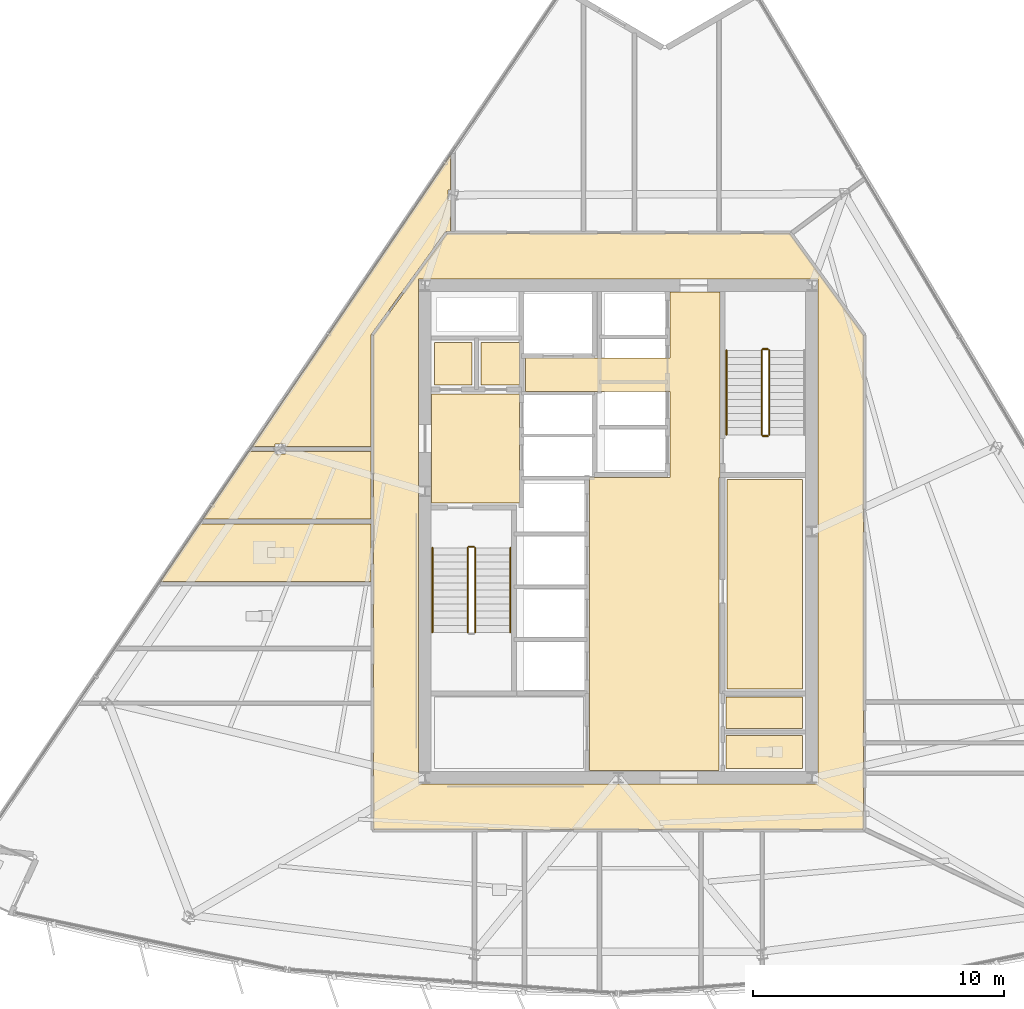
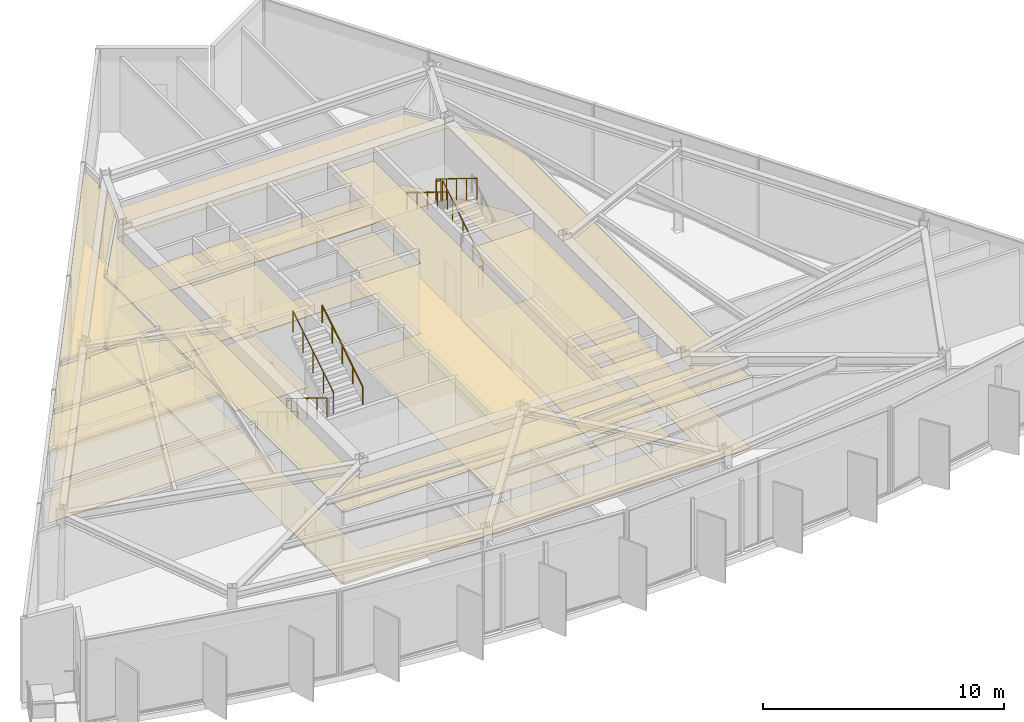
# One storey, part 11 of 13: 22 coverings, 10 railings.
"""IFC4 building model written with IfcOpenShell, lengths in metres."""

from ifc_helpers import new_model, si_unit, direction, frame, origin, origin_2d, place, context, subcontext, project, spatial, polyline, circle, outline, extrude, material, layer, layer_set, type_object, element, save


model = new_model("IFC4")

# Units and contexts
model_context = context("Model", 3, precision=1e-05, world=origin(), true_north=direction((0.0, 1.0)))
body_context = subcontext(model_context, "Body", "Model", "MODEL_VIEW")
ifc_project = project(units=[si_unit("LENGTHUNIT", "METRE"), si_unit("AREAUNIT", "SQUARE_METRE"), si_unit("VOLUMEUNIT", "CUBIC_METRE"), si_unit("PLANEANGLEUNIT", "RADIAN"), si_unit("MASSUNIT", "GRAM", prefix="KILO")], contexts=[model_context])

# Site, building, storey
site_placement = place(None, origin())
site = spatial("IfcSite", under=ifc_project, at=site_placement, CompositionType="ELEMENT")
building_placement = place(site_placement, origin())
building = spatial("IfcBuilding", under=site, at=building_placement, Name="Savorim Split Tower", CompositionType="ELEMENT")
storey_placement = place(building_placement, frame((0.0, 0.0, 190.199951171875)))
storey = spatial("IfcBuildingStorey", under=building, at=storey_placement, Name="L50", CompositionType="ELEMENT", Elevation=190.199951171875)

# Coverings
ifc_material_1 = material(Name="Mineral Fibre Acoustic Ceiling")
ifc_layer_1 = layer(ifc_material_1, 0.02490234375)
ifc_layer_set_1 = layer_set([ifc_layer_1], Name="COV-CEIL-25")
covering_type_1 = type_object("IfcCoveringType", Name="COV-CEIL-25", PredefinedType="CEILING", material=ifc_layer_set_1)
covering_1_placement = place(storey_placement, frame((0.0, 0.0, 3.570068359375)))
element("IfcCovering", 1, at=covering_1_placement, inside=storey, type_object=covering_type_1, Name="L50 Firefighting Lift Lobby Acoustic Ceiling", PredefinedType="CEILING", context=body_context, shape_type="SweptSolid", body=[
    extrude(outline(polyline([(-7.429931640625, 5.8701171875), (-7.429931640625, 1.530029296875), (-3.929931640625, 1.530029296875), (-3.929931640625, 5.8701171875), (-7.429931640625, 5.8701171875)])), origin(), (0.0, 0.0, 1.0), 0.02490234375),
])
covering_2_placement = place(storey_placement, frame((0.0, 0.0, 3.570068359375)))
element("IfcCovering", 2, at=covering_2_placement, inside=storey, type_object=covering_type_1, Name="L50 Electrical Riser Acoustic Ceiling", PredefinedType="CEILING", context=body_context, shape_type="SweptSolid", body=[
    extrude(outline(polyline([(-7.320068359375, 7.919921875), (-7.320068359375, 6.22998046875), (-5.830078125, 6.22998046875), (-5.830078125, 7.919921875), (-7.320068359375, 7.919921875)])), origin(), (0.0, 0.0, 1.0), 0.02490234375),
])
covering_3_placement = place(storey_placement, frame((0.0, 0.0, 3.570068359375)))
element("IfcCovering", 3, at=covering_3_placement, inside=storey, type_object=covering_type_1, Name="L50 Telecom Riser Acoustic Ceiling", PredefinedType="CEILING", context=body_context, shape_type="SweptSolid", body=[
    extrude(outline(polyline([(-5.469970703125, 7.919921875), (-5.469970703125, 6.22998046875), (-3.929931640625, 6.22998046875), (-3.929931640625, 7.919921875), (-5.469970703125, 7.919921875)])), origin(), (0.0, 0.0, 1.0), 0.02490234375),
])
covering_4_placement = place(storey_placement, frame((0.0, 0.0, 3.570068359375)))
element("IfcCovering", 4, at=covering_4_placement, inside=storey, type_object=covering_type_1, Name="L50 Lift Lobby Acoustic Ceiling", PredefinedType="CEILING", context=body_context, shape_type="SweptSolid", body=[
    extrude(outline(polyline([(2.050048828125, 2.550048828125), (-1.14990234375, 2.550048828125), (-1.14990234375, -9.10009765625), (4.0, -9.10009765625), (4.0, 2.550048828125), (4.050048828125, 2.550048828125), (4.050048828125, 5.97998046875), (4.050048828125, 7.300048828125), (4.050048828125, 9.929931640625), (2.050048828125, 9.929931640625), (2.050048828125, 7.300048828125), (-3.699951171875, 7.300048828125), (-3.699951171875, 5.97998046875), (2.050048828125, 5.97998046875), (2.050048828125, 2.550048828125)])), origin(), (0.0, 0.0, 1.0), 0.02490234375),
])
covering_5_placement = place(storey_placement, frame((0.0, 0.0, 3.570068359375)))
element("IfcCovering", 5, at=covering_5_placement, inside=storey, type_object=covering_type_1, Name="L50 Shared Pantry and Linen Room Acoustic Ceiling", PredefinedType="CEILING", context=body_context, shape_type="SweptSolid", body=[
    extrude(outline(polyline([(4.330078125, 2.469970703125), (4.330078125, -5.8701171875), (7.320068359375, -5.8701171875), (7.320068359375, 2.469970703125), (4.330078125, 2.469970703125)])), origin(), (0.0, 0.0, 1.0), 0.02490234375),
])
covering_6_placement = place(storey_placement, frame((0.0, 0.0, 3.570068359375)))
element("IfcCovering", 6, at=covering_6_placement, inside=storey, type_object=covering_type_1, Name="L50 Accessible WC Acoustic Ceiling", PredefinedType="CEILING", context=body_context, shape_type="SweptSolid", body=[
    extrude(outline(polyline([(4.280029296875, -7.719970703125), (4.280029296875, -9.02001953125), (7.320068359375, -9.02001953125), (7.320068359375, -7.719970703125), (4.280029296875, -7.719970703125)])), origin(), (0.0, 0.0, 1.0), 0.02490234375),
])
covering_7_placement = place(storey_placement, frame((0.0, 0.0, 3.570068359375)))
element("IfcCovering", 7, at=covering_7_placement, inside=storey, type_object=covering_type_1, Name="L50 Cleaning Store Acoustic Ceiling", PredefinedType="CEILING", context=body_context, shape_type="SweptSolid", body=[
    extrude(outline(polyline([(4.280029296875, -6.179931640625), (4.280029296875, -7.43994140625), (7.320068359375, -7.43994140625), (7.320068359375, -6.179931640625), (4.280029296875, -6.179931640625)])), origin(), (0.0, 0.0, 1.0), 0.02490234375),
])
covering_8_placement = place(storey_placement, frame((0.0, 0.0, 3.570068359375)))
element("IfcCovering", 8, at=covering_8_placement, inside=storey, type_object=covering_type_1, Name="L50 Corridor Acoustic Ceiling", PredefinedType="CEILING", context=body_context, shape_type="SweptSolid", body=[
    extrude(outline(polyline([(6.809326171875, 12.2490234375), (6.8046875, 12.249755859375), (6.800048828125, 12.25), (-6.800048828125, 12.25), (-6.8046875, 12.249755859375), (-6.809326171875, 12.2490234375), (-6.81396484375, 12.248046875), (-6.818359375, 12.24658203125), (-6.82275390625, 12.244384765625), (-6.826904296875, 12.2421875), (-6.830810546875, 12.239501953125), (-6.834228515625, 12.236328125), (-6.83740234375, 12.23291015625), (-6.840576171875, 12.229248046875), (-9.740478515625, 8.229248046875), (-9.743408203125, 8.22509765625), (-9.74560546875, 8.22021484375), (-9.74755859375, 8.21533203125), (-9.748779296875, 8.21044921875), (-9.749755859375, 8.205078125), (-9.75, 8.199951171875), (-9.75, -11.39990234375), (-9.749755859375, -11.40478515625), (-9.7490234375, -11.409912109375), (-9.747802734375, -11.41455078125), (-9.74609375, -11.419189453125), (-9.744140625, -11.423583984375), (-9.74169921875, -11.427734375), (-9.73876953125, -11.431640625), (-9.7353515625, -11.435302734375), (-9.731689453125, -11.438720703125), (-9.727783203125, -11.441650390625), (-9.7236328125, -11.444091796875), (-9.718994140625, -11.4462890625), (-9.714599609375, -11.44775390625), (-9.709716796875, -11.448974609375), (-9.704833984375, -11.44970703125), (-9.699951171875, -11.449951171875), (9.699951171875, -11.449951171875), (9.704833984375, -11.44970703125), (9.709716796875, -11.448974609375), (9.714599609375, -11.44775390625), (9.718994140625, -11.4462890625), (9.7236328125, -11.444091796875), (9.727783203125, -11.441650390625), (9.731689453125, -11.438720703125), (9.7353515625, -11.435302734375), (9.73876953125, -11.431640625), (9.74169921875, -11.427734375), (9.744140625, -11.423583984375), (9.74609375, -11.419189453125), (9.747802734375, -11.41455078125), (9.7490234375, -11.409912109375), (9.749755859375, -11.40478515625), (9.75, -11.39990234375), (9.75, 8.199951171875), (9.749755859375, 8.205078125), (9.748779296875, 8.21044921875), (9.74755859375, 8.21533203125), (9.74560546875, 8.22021484375), (9.743408203125, 8.22509765625), (9.740478515625, 8.229248046875), (6.840576171875, 12.229248046875), (6.83740234375, 12.23291015625), (6.834228515625, 12.236328125), (6.830810546875, 12.239501953125), (6.826904296875, 12.2421875), (6.82275390625, 12.244384765625), (6.818359375, 12.24658203125), (6.81396484375, 12.248046875), (6.809326171875, 12.2490234375)]), holes=[polyline([(-7.949951171875, 10.449951171875), (-7.949951171875, -9.64990234375), (7.949951171875, -9.64990234375), (7.949951171875, 10.449951171875), (-7.949951171875, 10.449951171875)])]), origin(), (0.0, 0.0, 1.0), 0.02490234375),
])
covering_9_placement = place(storey_placement, frame((0.0, 0.0, 3.570068359375)))
element("IfcCovering", 9, at=covering_9_placement, inside=storey, type_object=covering_type_1, Name="L50 Shared Bathroom Acoustic Ceiling", PredefinedType="CEILING", context=body_context, shape_type="SweptSolid", body=[
    extrude(outline(polyline([(-16.66259765625, 0.709228515625), (-18.218994140625, -1.57861328125), (-9.840087890625, -1.57861328125), (-9.840087890625, 0.709228515625), (-16.66259765625, 0.709228515625)])), origin(), (0.0, 0.0, 1.0), 0.02490234375),
])
covering_10_placement = place(storey_placement, frame((0.0, 0.0, 3.570068359375)))
element("IfcCovering", 10, at=covering_10_placement, inside=storey, type_object=covering_type_1, Name="L50 Quiet Study Room Acoustic Ceiling", PredefinedType="CEILING", context=body_context, shape_type="SweptSolid", body=[
    extrude(outline(polyline([(-6.813232421875, 12.33935546875), (-6.800048828125, 12.340087890625), (-6.677001953125, 12.340087890625), (-6.677001953125, 13.5908203125), (-6.791015625, 13.5908203125), (-6.791015625, 13.997802734375), (-6.677001953125, 13.997802734375), (-6.677001953125, 15.387939453125), (-14.575439453125, 3.777099609375), (-13.669921875, 3.777099609375), (-13.669921875, 3.8857421875), (-13.251708984375, 3.8857421875), (-13.251708984375, 3.777099609375), (-9.840087890625, 3.777099609375), (-9.840087890625, 8.199951171875), (-9.839111328125, 8.214599609375), (-9.8369140625, 8.22900390625), (-9.833251953125, 8.2431640625), (-9.827880859375, 8.2568359375), (-9.8212890625, 8.27001953125), (-9.813232421875, 8.2822265625), (-6.913330078125, 12.2822265625), (-6.905029296875, 12.29248046875), (-6.89599609375, 12.302001953125), (-6.885986328125, 12.310546875), (-6.875, 12.318115234375), (-6.863525390625, 12.32470703125), (-6.8515625, 12.330078125), (-6.839111328125, 12.33447265625), (-6.826416015625, 12.33740234375), (-6.813232421875, 12.33935546875)])), origin(), (0.0, 0.0, 1.0), 0.02490234375),
])
covering_11_placement = place(storey_placement, frame((0.0, 0.0, 3.570068359375)))
element("IfcCovering", 11, at=covering_11_placement, inside=storey, type_object=covering_type_1, Name="L50 Co-Working Commons Acoustic Ceiling", PredefinedType="CEILING", context=body_context, shape_type="SweptSolid", body=[
    extrude(outline(polyline([(-13.669921875, 3.587158203125), (-14.57958984375, 3.587158203125), (-14.674560546875, 3.587158203125), (-14.674560546875, 3.631591796875), (-16.533203125, 0.8994140625), (-9.840087890625, 0.899169921875), (-9.840087890625, 3.587158203125), (-13.251708984375, 3.587158203125), (-13.251708984375, 3.478759765625), (-13.669921875, 3.478759765625), (-13.669921875, 3.587158203125)])), origin(), (0.0, 0.0, 1.0), 0.02490234375),
])
ifc_material_2 = material(Name="Porcelain Stoneware Flooring", Category="masonry")
ifc_layer_2 = layer(ifc_material_2, 0.02001953125)
ifc_layer_set_2 = layer_set([ifc_layer_2], Name="COV-FLOR-20")
covering_type_2 = type_object("IfcCoveringType", Name="COV-FLOR-20", PredefinedType="FLOORING", material=ifc_layer_set_2)
covering_12_placement = place(storey_placement, origin())
element("IfcCovering", 12, at=covering_12_placement, inside=storey, type_object=covering_type_2, Name="L50 Firefighting Lift Lobby Porcelain Flooring", PredefinedType="FLOORING", context=body_context, shape_type="SweptSolid", body=[
    extrude(outline(polyline([(-7.429931640625, 5.8701171875), (-7.429931640625, 1.530029296875), (-3.929931640625, 1.530029296875), (-3.929931640625, 5.8701171875), (-7.429931640625, 5.8701171875)])), origin(), (0.0, 0.0, 1.0), 0.02001953125),
])
covering_13_placement = place(storey_placement, origin())
element("IfcCovering", 13, at=covering_13_placement, inside=storey, type_object=covering_type_2, Name="L50 Electrical Riser Porcelain Flooring", PredefinedType="FLOORING", context=body_context, shape_type="SweptSolid", body=[
    extrude(outline(polyline([(-7.320068359375, 7.919921875), (-7.320068359375, 6.22998046875), (-5.830078125, 6.22998046875), (-5.830078125, 7.919921875), (-7.320068359375, 7.919921875)])), origin(), (0.0, 0.0, 1.0), 0.02001953125),
])
covering_14_placement = place(storey_placement, origin())
element("IfcCovering", 14, at=covering_14_placement, inside=storey, type_object=covering_type_2, Name="L50 Telecom Riser Porcelain Flooring", PredefinedType="FLOORING", context=body_context, shape_type="SweptSolid", body=[
    extrude(outline(polyline([(-5.469970703125, 7.919921875), (-5.469970703125, 6.22998046875), (-3.929931640625, 6.22998046875), (-3.929931640625, 7.919921875), (-5.469970703125, 7.919921875)])), origin(), (0.0, 0.0, 1.0), 0.02001953125),
])
covering_15_placement = place(storey_placement, origin())
element("IfcCovering", 15, at=covering_15_placement, inside=storey, type_object=covering_type_2, Name="L50 Lift Lobby Porcelain Flooring", PredefinedType="FLOORING", context=body_context, shape_type="SweptSolid", body=[
    extrude(outline(polyline([(2.050048828125, 2.550048828125), (-1.14990234375, 2.550048828125), (-1.14990234375, -9.10009765625), (4.0, -9.10009765625), (4.0, 2.550048828125), (4.050048828125, 2.550048828125), (4.050048828125, 5.97998046875), (4.050048828125, 7.300048828125), (4.050048828125, 9.929931640625), (2.050048828125, 9.929931640625), (2.050048828125, 7.300048828125), (-3.699951171875, 7.300048828125), (-3.699951171875, 5.97998046875), (2.050048828125, 5.97998046875), (2.050048828125, 2.550048828125)])), origin(), (0.0, 0.0, 1.0), 0.02001953125),
])
covering_16_placement = place(storey_placement, origin())
element("IfcCovering", 16, at=covering_16_placement, inside=storey, type_object=covering_type_2, Name="L50 Shared Pantry and Linen Room Porcelain Flooring", PredefinedType="FLOORING", context=body_context, shape_type="SweptSolid", body=[
    extrude(outline(polyline([(4.330078125, 2.469970703125), (4.330078125, -5.8701171875), (7.320068359375, -5.8701171875), (7.320068359375, 2.469970703125), (4.330078125, 2.469970703125)])), origin(), (0.0, 0.0, 1.0), 0.02001953125),
])
covering_17_placement = place(storey_placement, origin())
element("IfcCovering", 17, at=covering_17_placement, inside=storey, type_object=covering_type_2, Name="L50 Accessible WC Porcelain Flooring", PredefinedType="FLOORING", context=body_context, shape_type="SweptSolid", body=[
    extrude(outline(polyline([(4.280029296875, -7.719970703125), (4.280029296875, -9.02001953125), (7.320068359375, -9.02001953125), (7.320068359375, -7.719970703125), (4.280029296875, -7.719970703125)])), origin(), (0.0, 0.0, 1.0), 0.02001953125),
])
covering_18_placement = place(storey_placement, origin())
element("IfcCovering", 18, at=covering_18_placement, inside=storey, type_object=covering_type_2, Name="L50 Cleaning Store Porcelain Flooring", PredefinedType="FLOORING", context=body_context, shape_type="SweptSolid", body=[
    extrude(outline(polyline([(4.280029296875, -6.179931640625), (4.280029296875, -7.43994140625), (7.320068359375, -7.43994140625), (7.320068359375, -6.179931640625), (4.280029296875, -6.179931640625)])), origin(), (0.0, 0.0, 1.0), 0.02001953125),
])
covering_19_placement = place(storey_placement, origin())
element("IfcCovering", 19, at=covering_19_placement, inside=storey, type_object=covering_type_2, Name="L50 Corridor Porcelain Flooring", PredefinedType="FLOORING", context=body_context, shape_type="SweptSolid", body=[
    extrude(outline(polyline([(6.809326171875, 12.2490234375), (6.8046875, 12.249755859375), (6.800048828125, 12.25), (-6.800048828125, 12.25), (-6.8046875, 12.249755859375), (-6.809326171875, 12.2490234375), (-6.81396484375, 12.248046875), (-6.818359375, 12.24658203125), (-6.82275390625, 12.244384765625), (-6.826904296875, 12.2421875), (-6.830810546875, 12.239501953125), (-6.834228515625, 12.236328125), (-6.83740234375, 12.23291015625), (-6.840576171875, 12.229248046875), (-9.740478515625, 8.229248046875), (-9.743408203125, 8.22509765625), (-9.74560546875, 8.22021484375), (-9.74755859375, 8.21533203125), (-9.748779296875, 8.21044921875), (-9.749755859375, 8.205078125), (-9.75, 8.199951171875), (-9.75, -11.39990234375), (-9.749755859375, -11.40478515625), (-9.7490234375, -11.409912109375), (-9.747802734375, -11.41455078125), (-9.74609375, -11.419189453125), (-9.744140625, -11.423583984375), (-9.74169921875, -11.427734375), (-9.73876953125, -11.431640625), (-9.7353515625, -11.435302734375), (-9.731689453125, -11.438720703125), (-9.727783203125, -11.441650390625), (-9.7236328125, -11.444091796875), (-9.718994140625, -11.4462890625), (-9.714599609375, -11.44775390625), (-9.709716796875, -11.448974609375), (-9.704833984375, -11.44970703125), (-9.699951171875, -11.449951171875), (9.699951171875, -11.449951171875), (9.704833984375, -11.44970703125), (9.709716796875, -11.448974609375), (9.714599609375, -11.44775390625), (9.718994140625, -11.4462890625), (9.7236328125, -11.444091796875), (9.727783203125, -11.441650390625), (9.731689453125, -11.438720703125), (9.7353515625, -11.435302734375), (9.73876953125, -11.431640625), (9.74169921875, -11.427734375), (9.744140625, -11.423583984375), (9.74609375, -11.419189453125), (9.747802734375, -11.41455078125), (9.7490234375, -11.409912109375), (9.749755859375, -11.40478515625), (9.75, -11.39990234375), (9.75, 8.199951171875), (9.749755859375, 8.205078125), (9.748779296875, 8.21044921875), (9.74755859375, 8.21533203125), (9.74560546875, 8.22021484375), (9.743408203125, 8.22509765625), (9.740478515625, 8.229248046875), (6.840576171875, 12.229248046875), (6.83740234375, 12.23291015625), (6.834228515625, 12.236328125), (6.830810546875, 12.239501953125), (6.826904296875, 12.2421875), (6.82275390625, 12.244384765625), (6.818359375, 12.24658203125), (6.81396484375, 12.248046875), (6.809326171875, 12.2490234375)]), holes=[polyline([(-7.949951171875, 10.449951171875), (-7.949951171875, -9.64990234375), (7.949951171875, -9.64990234375), (7.949951171875, 10.449951171875), (-7.949951171875, 10.449951171875)])]), origin(), (0.0, 0.0, 1.0), 0.02001953125),
])
covering_20_placement = place(storey_placement, origin())
element("IfcCovering", 20, at=covering_20_placement, inside=storey, type_object=covering_type_2, Name="L50 Shared Bathroom Porcelain Flooring", PredefinedType="FLOORING", context=body_context, shape_type="SweptSolid", body=[
    extrude(outline(polyline([(-16.66259765625, 0.709228515625), (-18.218994140625, -1.57861328125), (-9.840087890625, -1.57861328125), (-9.840087890625, 0.709228515625), (-16.66259765625, 0.709228515625)])), origin(), (0.0, 0.0, 1.0), 0.02001953125),
])
covering_21_placement = place(storey_placement, origin())
element("IfcCovering", 21, at=covering_21_placement, inside=storey, type_object=covering_type_2, Name="L50 Quiet Study Room Porcelain Flooring", PredefinedType="FLOORING", context=body_context, shape_type="SweptSolid", body=[
    extrude(outline(polyline([(-6.813232421875, 12.33935546875), (-6.800048828125, 12.340087890625), (-6.677001953125, 12.340087890625), (-6.677001953125, 13.5908203125), (-6.791015625, 13.5908203125), (-6.791015625, 13.997802734375), (-6.677001953125, 13.997802734375), (-6.677001953125, 15.387939453125), (-14.575439453125, 3.777099609375), (-13.669921875, 3.777099609375), (-13.669921875, 3.8857421875), (-13.251708984375, 3.8857421875), (-13.251708984375, 3.777099609375), (-9.840087890625, 3.777099609375), (-9.840087890625, 8.199951171875), (-9.839111328125, 8.214599609375), (-9.8369140625, 8.22900390625), (-9.833251953125, 8.2431640625), (-9.827880859375, 8.2568359375), (-9.8212890625, 8.27001953125), (-9.813232421875, 8.2822265625), (-6.913330078125, 12.2822265625), (-6.905029296875, 12.29248046875), (-6.89599609375, 12.302001953125), (-6.885986328125, 12.310546875), (-6.875, 12.318115234375), (-6.863525390625, 12.32470703125), (-6.8515625, 12.330078125), (-6.839111328125, 12.33447265625), (-6.826416015625, 12.33740234375), (-6.813232421875, 12.33935546875)])), origin(), (0.0, 0.0, 1.0), 0.02001953125),
])
covering_22_placement = place(storey_placement, origin())
element("IfcCovering", 22, at=covering_22_placement, inside=storey, type_object=covering_type_2, Name="L50 Co-Working Commons Porcelain Flooring", PredefinedType="FLOORING", context=body_context, shape_type="SweptSolid", body=[
    extrude(outline(polyline([(-13.669921875, 3.587158203125), (-14.57958984375, 3.587158203125), (-14.674560546875, 3.587158203125), (-14.674560546875, 3.631591796875), (-16.533203125, 0.8994140625), (-9.840087890625, 0.899169921875), (-9.840087890625, 3.587158203125), (-13.251708984375, 3.587158203125), (-13.251708984375, 3.478759765625), (-13.669921875, 3.478759765625), (-13.669921875, 3.587158203125)])), origin(), (0.0, 0.0, 1.0), 0.02001953125),
])

# Railings
ifc_material_3 = material(Name="Galvanised Painted Steel Balustrade", Category="steel")
railing_type_1 = type_object("IfcRailingType", Name="RLG-HR-900", PredefinedType="HANDRAIL", material=ifc_material_3)
railing_1_placement = place(storey_placement, frame((-7.39990234375, -0.25, 0.173095703125)))
element("IfcRailing", 23, at=railing_1_placement, inside=storey, type_object=railing_type_1, Name="L50 ST-1 stair handrail 1", PredefinedType="HANDRAIL", context=body_context, shape_type="SweptSolid", body=[
    extrude(circle(Radius=0.02392578125, at=origin_2d()), frame((0.0, 0.0, 0.8759765625), z_axis=(0.0, -0.850623216509, 0.525775754039), x_axis=(1.0, 0.0, 0.0)), (0.0, 0.0, 1.0), 3.9501953125),
    extrude(circle(Radius=0.02099609375, at=origin_2d()), origin(), (0.0, 0.0, 1.0), 0.851806640625),
    extrude(circle(Radius=0.02099609375, at=origin_2d()), frame((0.0, -0.840087890625, 0.519287109375)), (0.0, 0.0, 1.0), 0.851806640625),
    extrude(circle(Radius=0.02099609375, at=origin_2d()), frame((0.0, -1.68017578125, 1.03857421875)), (0.0, 0.0, 1.0), 0.851806640625),
    extrude(circle(Radius=0.02099609375, at=origin_2d()), frame((0.0, -2.52001953125, 1.5576171875)), (0.0, 0.0, 1.0), 0.851806640625),
    extrude(circle(Radius=0.02099609375, at=origin_2d()), frame((0.0, -3.360107421875, 2.076904296875)), (0.0, 0.0, 1.0), 0.851806640625),
])
railing_2_placement = place(storey_placement, frame((-4.300048828125, -3.610107421875, 2.423095703125)))
element("IfcRailing", 24, at=railing_2_placement, inside=storey, type_object=railing_type_1, Name="L50 ST-1 stair handrail 2", PredefinedType="HANDRAIL", context=body_context, shape_type="SweptSolid", body=[
    extrude(circle(Radius=0.02392578125, at=origin_2d()), frame((0.0, 0.0, 0.8759765625), z_axis=(0.0, 0.850623216509, 0.525775754039), x_axis=(-1.0, 0.0, 0.0)), (0.0, 0.0, 1.0), 3.9501953125),
    extrude(circle(Radius=0.02099609375, at=origin_2d()), origin(), (0.0, 0.0, 1.0), 0.851806640625),
    extrude(circle(Radius=0.02099609375, at=origin_2d()), frame((0.0, 0.840087890625, 0.519287109375)), (0.0, 0.0, 1.0), 0.851806640625),
    extrude(circle(Radius=0.02099609375, at=origin_2d()), frame((0.0, 1.68017578125, 1.03857421875)), (0.0, 0.0, 1.0), 0.851806640625),
    extrude(circle(Radius=0.02099609375, at=origin_2d()), frame((0.0, 2.52001953125, 1.5576171875)), (0.0, 0.0, 1.0), 0.851806640625),
    extrude(circle(Radius=0.02099609375, at=origin_2d()), frame((0.0, 3.360107421875, 2.076904296875)), (0.0, 0.0, 1.0), 0.851806640625),
])
railing_3_placement = place(storey_placement, frame((4.300048828125, 7.610107421875, 2.423095703125)))
element("IfcRailing", 25, at=railing_3_placement, inside=storey, type_object=railing_type_1, Name="L50 ST-2 stair handrail 2", PredefinedType="HANDRAIL", context=body_context, shape_type="SweptSolid", body=[
    extrude(circle(Radius=0.02392578125, at=origin_2d()), frame((0.0, 0.0, 0.8759765625), z_axis=(0.0, -0.850623216509, 0.525775754039), x_axis=(1.0, 0.0, 0.0)), (0.0, 0.0, 1.0), 3.9501953125),
    extrude(circle(Radius=0.02099609375, at=origin_2d()), origin(), (0.0, 0.0, 1.0), 0.851806640625),
    extrude(circle(Radius=0.02099609375, at=origin_2d()), frame((0.0, -0.840087890625, 0.519287109375)), (0.0, 0.0, 1.0), 0.851806640625),
    extrude(circle(Radius=0.02099609375, at=origin_2d()), frame((0.0, -1.68017578125, 1.03857421875)), (0.0, 0.0, 1.0), 0.851806640625),
    extrude(circle(Radius=0.02099609375, at=origin_2d()), frame((0.0, -2.52001953125, 1.5576171875)), (0.0, 0.0, 1.0), 0.851806640625),
    extrude(circle(Radius=0.02099609375, at=origin_2d()), frame((0.0, -3.360107421875, 2.076904296875)), (0.0, 0.0, 1.0), 0.851806640625),
])
railing_type_2 = type_object("IfcRailingType", Name="RLG-STG-1100", PredefinedType="BALUSTRADE", material=ifc_material_3)
railing_4_placement = place(storey_placement, frame((-6.0, -0.25, 0.173095703125)))
element("IfcRailing", 26, at=railing_4_placement, inside=storey, type_object=railing_type_2, Name="L50 ST-1 stair guard 1", PredefinedType="BALUSTRADE", context=body_context, shape_type="SweptSolid", body=[
    extrude(circle(Radius=0.02392578125, at=origin_2d()), frame((0.0, 0.0, 1.076171875), z_axis=(0.0, -0.850623216509, 0.525775754039), x_axis=(1.0, 0.0, 0.0)), (0.0, 0.0, 1.0), 3.9501953125),
    extrude(circle(Radius=0.02099609375, at=origin_2d()), origin(), (0.0, 0.0, 1.0), 1.052001953125),
    extrude(circle(Radius=0.02099609375, at=origin_2d()), frame((0.0, -0.840087890625, 0.519287109375)), (0.0, 0.0, 1.0), 1.052001953125),
    extrude(circle(Radius=0.02099609375, at=origin_2d()), frame((0.0, -1.68017578125, 1.03857421875)), (0.0, 0.0, 1.0), 1.052001953125),
    extrude(circle(Radius=0.02099609375, at=origin_2d()), frame((0.0, -2.52001953125, 1.5576171875)), (0.0, 0.0, 1.0), 1.052001953125),
    extrude(circle(Radius=0.02099609375, at=origin_2d()), frame((0.0, -3.360107421875, 2.076904296875)), (0.0, 0.0, 1.0), 1.052001953125),
])
railing_5_placement = place(storey_placement, frame((-5.699951171875, -3.610107421875, 2.423095703125)))
element("IfcRailing", 27, at=railing_5_placement, inside=storey, type_object=railing_type_2, Name="L50 ST-1 stair guard 3", PredefinedType="BALUSTRADE", context=body_context, shape_type="SweptSolid", body=[
    extrude(circle(Radius=0.02392578125, at=origin_2d()), frame((0.0, 0.0, 1.076171875), z_axis=(0.0, 0.850623216509, 0.525775754039), x_axis=(-1.0, 0.0, 0.0)), (0.0, 0.0, 1.0), 3.9501953125),
    extrude(circle(Radius=0.02099609375, at=origin_2d()), origin(), (0.0, 0.0, 1.0), 1.052001953125),
    extrude(circle(Radius=0.02099609375, at=origin_2d()), frame((0.0, 0.840087890625, 0.519287109375)), (0.0, 0.0, 1.0), 1.052001953125),
    extrude(circle(Radius=0.02099609375, at=origin_2d()), frame((0.0, 1.68017578125, 1.03857421875)), (0.0, 0.0, 1.0), 1.052001953125),
    extrude(circle(Radius=0.02099609375, at=origin_2d()), frame((0.0, 2.52001953125, 1.5576171875)), (0.0, 0.0, 1.0), 1.052001953125),
    extrude(circle(Radius=0.02099609375, at=origin_2d()), frame((0.0, 3.360107421875, 2.076904296875)), (0.0, 0.0, 1.0), 1.052001953125),
])
railing_6_placement = place(storey_placement, frame((-5.949951171875, -0.199951171875, 0.0)))
element("IfcRailing", 28, at=railing_6_placement, inside=storey, type_object=railing_type_2, Name="L50 ST-1 stair guard 4", PredefinedType="BALUSTRADE", context=body_context, shape_type="SweptSolid", body=[
    extrude(circle(Radius=0.02392578125, at=origin_2d()), frame((0.0, 0.0, 1.076171875), z_axis=(1.0, 0.0, 0.0), x_axis=(0.0, 1.0, 0.0)), (0.0, 0.0, 1.0), 0.199951171875),
    extrude(circle(Radius=0.02099609375, at=origin_2d()), origin(), (0.0, 0.0, 1.0), 1.052001953125),
    extrude(circle(Radius=0.02099609375, at=origin_2d()), frame((0.199951171875, 0.0, 0.0)), (0.0, 0.0, 1.0), 1.052001953125),
])
railing_7_placement = place(storey_placement, frame((6.0, 4.25, 0.173095703125)))
element("IfcRailing", 29, at=railing_7_placement, inside=storey, type_object=railing_type_2, Name="L50 ST-2 stair guard 1", PredefinedType="BALUSTRADE", context=body_context, shape_type="SweptSolid", body=[
    extrude(circle(Radius=0.02392578125, at=origin_2d()), frame((0.0, 0.0, 1.076171875), z_axis=(0.0, 0.850623216509, 0.525775754039), x_axis=(-1.0, 0.0, 0.0)), (0.0, 0.0, 1.0), 3.9501953125),
    extrude(circle(Radius=0.02099609375, at=origin_2d()), origin(), (0.0, 0.0, 1.0), 1.052001953125),
    extrude(circle(Radius=0.02099609375, at=origin_2d()), frame((0.0, 0.840087890625, 0.519287109375)), (0.0, 0.0, 1.0), 1.052001953125),
    extrude(circle(Radius=0.02099609375, at=origin_2d()), frame((0.0, 1.68017578125, 1.03857421875)), (0.0, 0.0, 1.0), 1.052001953125),
    extrude(circle(Radius=0.02099609375, at=origin_2d()), frame((0.0, 2.52001953125, 1.5576171875)), (0.0, 0.0, 1.0), 1.052001953125),
    extrude(circle(Radius=0.02099609375, at=origin_2d()), frame((0.0, 3.360107421875, 2.076904296875)), (0.0, 0.0, 1.0), 1.052001953125),
])
railing_8_placement = place(storey_placement, frame((5.949951171875, 7.659912109375, 2.25)))
element("IfcRailing", 30, at=railing_8_placement, inside=storey, type_object=railing_type_2, Name="L50 ST-2 stair guard 2", PredefinedType="BALUSTRADE", context=body_context, shape_type="SweptSolid", body=[
    extrude(circle(Radius=0.02392578125, at=origin_2d()), frame((0.0, 0.0, 1.076171875), z_axis=(-1.0, 0.0, 0.0), x_axis=(0.0, -1.0, 0.0)), (0.0, 0.0, 1.0), 0.199951171875),
    extrude(circle(Radius=0.02099609375, at=origin_2d()), origin(), (0.0, 0.0, 1.0), 1.052001953125),
    extrude(circle(Radius=0.02099609375, at=origin_2d()), frame((-0.199951171875, 0.0, 0.0)), (0.0, 0.0, 1.0), 1.052001953125),
])
railing_9_placement = place(storey_placement, frame((5.699951171875, 7.610107421875, 2.423095703125)))
element("IfcRailing", 31, at=railing_9_placement, inside=storey, type_object=railing_type_2, Name="L50 ST-2 stair guard 3", PredefinedType="BALUSTRADE", context=body_context, shape_type="SweptSolid", body=[
    extrude(circle(Radius=0.02392578125, at=origin_2d()), frame((0.0, 0.0, 1.076171875), z_axis=(0.0, -0.850623216509, 0.525775754039), x_axis=(1.0, 0.0, 0.0)), (0.0, 0.0, 1.0), 3.9501953125),
    extrude(circle(Radius=0.02099609375, at=origin_2d()), origin(), (0.0, 0.0, 1.0), 1.052001953125),
    extrude(circle(Radius=0.02099609375, at=origin_2d()), frame((0.0, -0.840087890625, 0.519287109375)), (0.0, 0.0, 1.0), 1.052001953125),
    extrude(circle(Radius=0.02099609375, at=origin_2d()), frame((0.0, -1.68017578125, 1.03857421875)), (0.0, 0.0, 1.0), 1.052001953125),
    extrude(circle(Radius=0.02099609375, at=origin_2d()), frame((0.0, -2.52001953125, 1.5576171875)), (0.0, 0.0, 1.0), 1.052001953125),
    extrude(circle(Radius=0.02099609375, at=origin_2d()), frame((0.0, -3.360107421875, 2.076904296875)), (0.0, 0.0, 1.0), 1.052001953125),
])
railing_10_placement = place(storey_placement, frame((5.949951171875, 4.199951171875, 0.0)))
element("IfcRailing", 32, at=railing_10_placement, inside=storey, type_object=railing_type_2, Name="L50 ST-2 stair guard 4", PredefinedType="BALUSTRADE", context=body_context, shape_type="SweptSolid", body=[
    extrude(circle(Radius=0.02392578125, at=origin_2d()), frame((0.0, 0.0, 1.076171875), z_axis=(-1.0, 0.0, 0.0), x_axis=(0.0, -1.0, 0.0)), (0.0, 0.0, 1.0), 0.199951171875),
    extrude(circle(Radius=0.02099609375, at=origin_2d()), origin(), (0.0, 0.0, 1.0), 1.052001953125),
    extrude(circle(Radius=0.02099609375, at=origin_2d()), frame((-0.199951171875, 0.0, 0.0)), (0.0, 0.0, 1.0), 1.052001953125),
])

save(model, "model.ifc")
